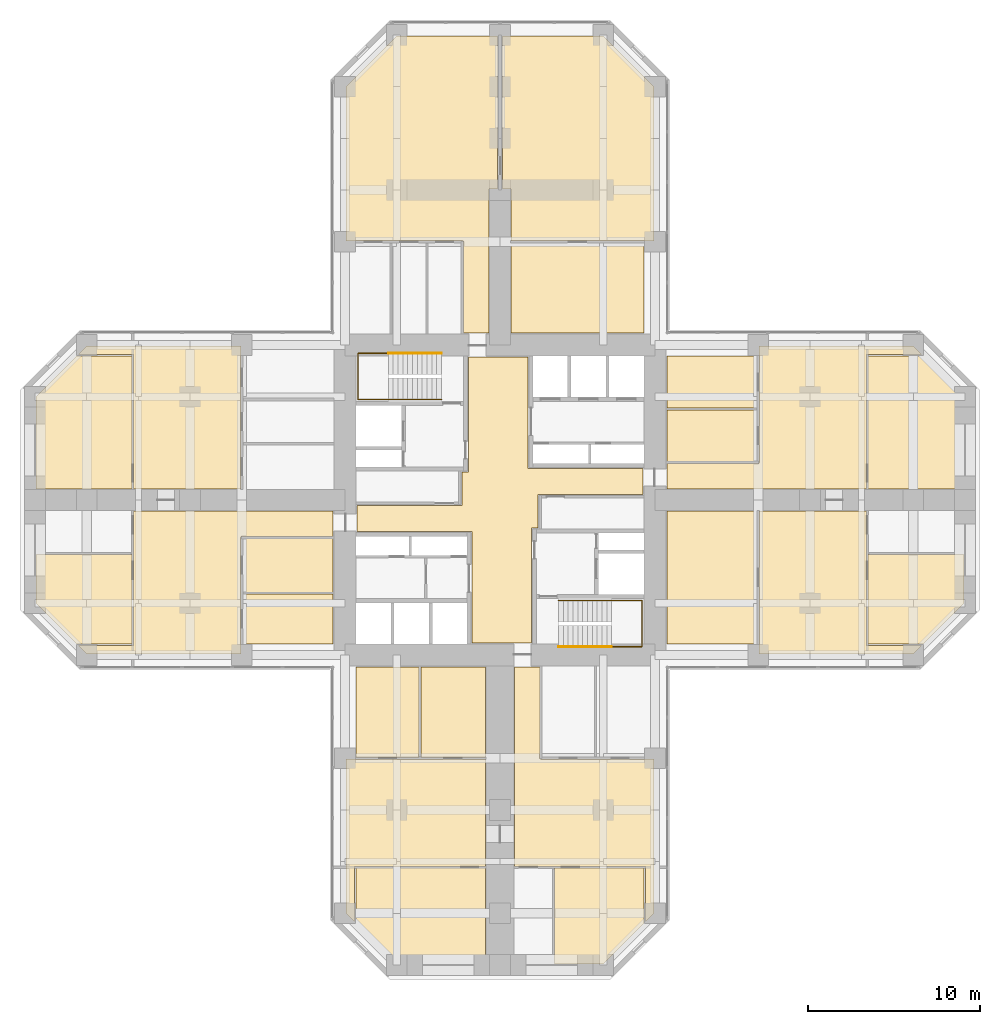
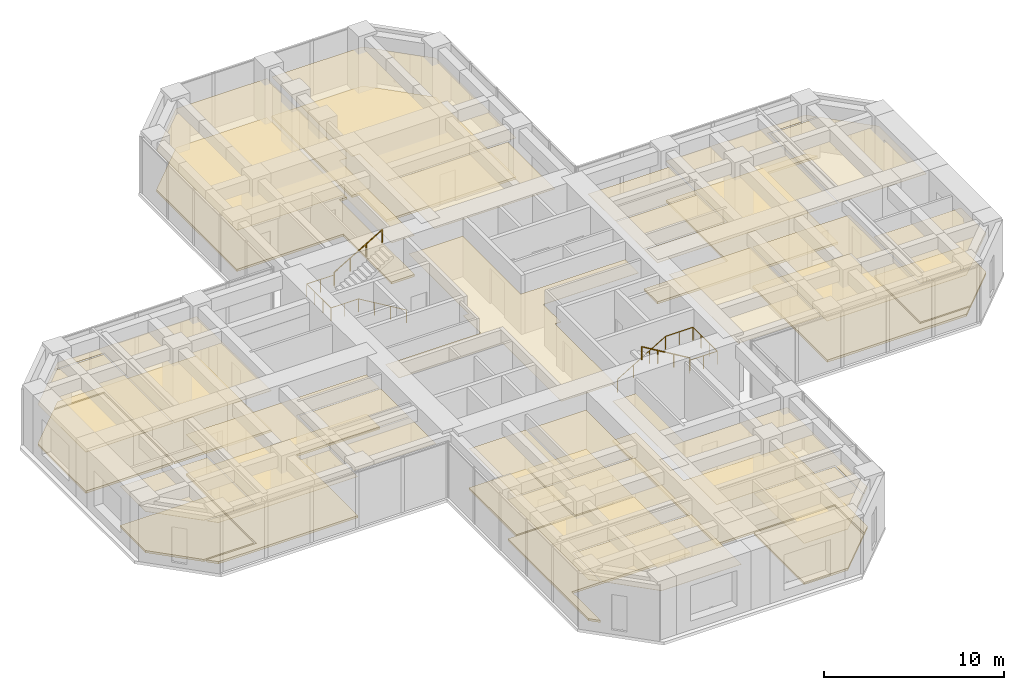
# One storey, part 13 of 13: 37 coverings, 4 railings.
"""IFC4 building model written with IfcOpenShell, lengths in metres."""

from ifc_helpers import new_model, si_unit, direction, frame, origin, origin_2d, place, context, subcontext, project, spatial, polyline, circle, outline, extrude, material, layer, layer_set, constituent, constituent_set, type_object, element, save


model = new_model("IFC4")

# Units and contexts
model_context = context("Model", 3, precision=1e-05, world=origin(), true_north=direction((0.0, 1.0)))
body_context = subcontext(model_context, "Body", "Model", "MODEL_VIEW")
ifc_project = project(units=[si_unit("LENGTHUNIT", "METRE"), si_unit("AREAUNIT", "SQUARE_METRE"), si_unit("VOLUMEUNIT", "CUBIC_METRE"), si_unit("PLANEANGLEUNIT", "RADIAN"), si_unit("MASSUNIT", "GRAM", prefix="KILO")], contexts=[model_context])

# Site, building, storey
site_placement = place(None, origin())
site = spatial("IfcSite", under=ifc_project, at=site_placement, CompositionType="ELEMENT")
building_placement = place(site_placement, origin())
building = spatial("IfcBuilding", under=site, at=building_placement, Name="Torre Cruceta", CompositionType="ELEMENT")
storey_placement = place(building_placement, frame((0.0, 0.0, 55.5)))
storey = spatial("IfcBuildingStorey", under=building, at=storey_placement, Name="L13", CompositionType="ELEMENT", Elevation=55.5)

# Railings
ifc_material_1 = material(Name="Stainless steel 1.4401", Category="steel")
railing_type = type_object("IfcRailingType", Name="HANDRAIL 900", PredefinedType="HANDRAIL", material=ifc_material_1)
railing_1_placement = place(storey_placement, frame((-3.39990234375, 5.8349609375, 0.166748046875)))
element("IfcRailing", 1, at=railing_1_placement, inside=storey, type_object=railing_type, Name="Handrail HR1 ST1 L13", PredefinedType="HANDRAIL", context=body_context, shape_type="SweptSolid", body=[
    extrude(circle(Radius=0.02392578125, at=origin_2d()), frame((0.0, 0.0, 0.8759765625), z_axis=(-0.859308565015, 0.0, 0.511457515432), x_axis=(0.0, -1.0, 0.0)), (0.0, 0.0, 1.0), 3.58447265625),
    extrude(circle(Radius=0.02392578125, at=origin_2d()), frame((-3.080078125, 0.0, 2.708984375), z_axis=(-1.0, 0.0, 0.0), x_axis=(0.0, -1.0, 0.0)), (0.0, 0.0, 1.0), 1.760009765625),
    extrude(circle(Radius=0.02392578125, at=origin_2d()), frame((-4.840087890625, 0.0, 2.708984375), z_axis=(0.0, 1.0, 0.0), x_axis=(-1.0, 0.0, 0.0)), (0.0, 0.0, 1.0), 2.679931640625),
    extrude(circle(Radius=0.02392578125, at=origin_2d()), frame((-4.840087890625, 2.679931640625, 2.708984375), z_axis=(1.0, 0.0, 0.0), x_axis=(0.0, 1.0, 0.0)), (0.0, 0.0, 1.0), 1.760009765625),
    extrude(circle(Radius=0.02099609375, at=origin_2d()), origin(), (0.0, 0.0, 1.0), 0.851806640625),
    extrude(circle(Radius=0.02099609375, at=origin_2d()), frame((-1.026611328125, 0.0, 0.611083984375)), (0.0, 0.0, 1.0), 0.851806640625),
    extrude(circle(Radius=0.02099609375, at=origin_2d()), frame((-2.053466796875, 0.0, 1.22216796875)), (0.0, 0.0, 1.0), 0.851806640625),
    extrude(circle(Radius=0.02099609375, at=origin_2d()), frame((-3.080078125, 0.0, 1.833251953125)), (0.0, 0.0, 1.0), 0.851806640625),
    extrude(circle(Radius=0.02099609375, at=origin_2d()), frame((-3.9599609375, 0.0, 1.833251953125)), (0.0, 0.0, 1.0), 0.851806640625),
    extrude(circle(Radius=0.02099609375, at=origin_2d()), frame((-4.840087890625, 0.0, 1.833251953125)), (0.0, 0.0, 1.0), 0.851806640625),
    extrude(circle(Radius=0.02099609375, at=origin_2d()), frame((-4.840087890625, 0.893310546875, 1.833251953125)), (0.0, 0.0, 1.0), 0.851806640625),
    extrude(circle(Radius=0.02099609375, at=origin_2d()), frame((-4.840087890625, 1.78662109375, 1.833251953125)), (0.0, 0.0, 1.0), 0.851806640625),
    extrude(circle(Radius=0.02099609375, at=origin_2d()), frame((-4.840087890625, 2.679931640625, 1.833251953125)), (0.0, 0.0, 1.0), 0.851806640625),
    extrude(circle(Radius=0.02099609375, at=origin_2d()), frame((-3.9599609375, 2.679931640625, 1.833251953125)), (0.0, 0.0, 1.0), 0.851806640625),
    extrude(circle(Radius=0.02099609375, at=origin_2d()), frame((-3.080078125, 2.679931640625, 1.833251953125)), (0.0, 0.0, 1.0), 0.851806640625),
])
railing_2_placement = place(storey_placement, frame((-6.47998046875, 8.514892578125, 2.166748046875)))
element("IfcRailing", 2, at=railing_2_placement, inside=storey, type_object=railing_type, Name="Handrail HR1 ST1 L13", PredefinedType="HANDRAIL", context=body_context, shape_type="SweptSolid", body=[
    extrude(circle(Radius=0.02392578125, at=origin_2d()), frame((0.0, 0.0, 0.8759765625), z_axis=(0.859308565015, 0.0, 0.511457515432), x_axis=(0.0, 1.0, 0.0)), (0.0, 0.0, 1.0), 3.58447265625),
    extrude(circle(Radius=0.02099609375, at=origin_2d()), origin(), (0.0, 0.0, 1.0), 0.851806640625),
    extrude(circle(Radius=0.02099609375, at=origin_2d()), frame((1.026611328125, 0.0, 0.611083984375)), (0.0, 0.0, 1.0), 0.851806640625),
    extrude(circle(Radius=0.02099609375, at=origin_2d()), frame((2.053466796875, 0.0, 1.22216796875)), (0.0, 0.0, 1.0), 0.851806640625),
    extrude(circle(Radius=0.02099609375, at=origin_2d()), frame((3.080078125, 0.0, 1.833251953125)), (0.0, 0.0, 1.0), 0.851806640625),
])
railing_3_placement = place(storey_placement, frame((3.39990234375, -5.8349609375, 0.166748046875)))
element("IfcRailing", 3, at=railing_3_placement, inside=storey, type_object=railing_type, Name="Handrail HR1 ST2 L13", PredefinedType="HANDRAIL", context=body_context, shape_type="SweptSolid", body=[
    extrude(circle(Radius=0.02392578125, at=origin_2d()), frame((0.0, 0.0, 0.8759765625), z_axis=(0.859308565015, 0.0, 0.511457515432), x_axis=(0.0, 1.0, 0.0)), (0.0, 0.0, 1.0), 3.58447265625),
    extrude(circle(Radius=0.02392578125, at=origin_2d()), frame((3.080078125, 0.0, 2.708984375), z_axis=(1.0, 0.0, 0.0), x_axis=(0.0, 1.0, 0.0)), (0.0, 0.0, 1.0), 1.760009765625),
    extrude(circle(Radius=0.02392578125, at=origin_2d()), frame((4.840087890625, 0.0, 2.708984375), z_axis=(0.0, -1.0, 0.0), x_axis=(1.0, 0.0, 0.0)), (0.0, 0.0, 1.0), 2.679931640625),
    extrude(circle(Radius=0.02392578125, at=origin_2d()), frame((4.840087890625, -2.679931640625, 2.708984375), z_axis=(-1.0, 0.0, 0.0), x_axis=(0.0, -1.0, 0.0)), (0.0, 0.0, 1.0), 1.760009765625),
    extrude(circle(Radius=0.02099609375, at=origin_2d()), origin(), (0.0, 0.0, 1.0), 0.851806640625),
    extrude(circle(Radius=0.02099609375, at=origin_2d()), frame((1.026611328125, 0.0, 0.611083984375)), (0.0, 0.0, 1.0), 0.851806640625),
    extrude(circle(Radius=0.02099609375, at=origin_2d()), frame((2.053466796875, 0.0, 1.22216796875)), (0.0, 0.0, 1.0), 0.851806640625),
    extrude(circle(Radius=0.02099609375, at=origin_2d()), frame((3.080078125, 0.0, 1.833251953125)), (0.0, 0.0, 1.0), 0.851806640625),
    extrude(circle(Radius=0.02099609375, at=origin_2d()), frame((3.9599609375, 0.0, 1.833251953125)), (0.0, 0.0, 1.0), 0.851806640625),
    extrude(circle(Radius=0.02099609375, at=origin_2d()), frame((4.840087890625, 0.0, 1.833251953125)), (0.0, 0.0, 1.0), 0.851806640625),
    extrude(circle(Radius=0.02099609375, at=origin_2d()), frame((4.840087890625, -0.893310546875, 1.833251953125)), (0.0, 0.0, 1.0), 0.851806640625),
    extrude(circle(Radius=0.02099609375, at=origin_2d()), frame((4.840087890625, -1.78662109375, 1.833251953125)), (0.0, 0.0, 1.0), 0.851806640625),
    extrude(circle(Radius=0.02099609375, at=origin_2d()), frame((4.840087890625, -2.679931640625, 1.833251953125)), (0.0, 0.0, 1.0), 0.851806640625),
    extrude(circle(Radius=0.02099609375, at=origin_2d()), frame((3.9599609375, -2.679931640625, 1.833251953125)), (0.0, 0.0, 1.0), 0.851806640625),
    extrude(circle(Radius=0.02099609375, at=origin_2d()), frame((3.080078125, -2.679931640625, 1.833251953125)), (0.0, 0.0, 1.0), 0.851806640625),
])
railing_4_placement = place(storey_placement, frame((6.47998046875, -8.514892578125, 2.166748046875)))
element("IfcRailing", 4, at=railing_4_placement, inside=storey, type_object=railing_type, Name="Handrail HR1 ST2 L13", PredefinedType="HANDRAIL", context=body_context, shape_type="SweptSolid", body=[
    extrude(circle(Radius=0.02392578125, at=origin_2d()), frame((0.0, 0.0, 0.8759765625), z_axis=(-0.859308565015, 0.0, 0.511457515432), x_axis=(0.0, -1.0, 0.0)), (0.0, 0.0, 1.0), 3.58447265625),
    extrude(circle(Radius=0.02099609375, at=origin_2d()), origin(), (0.0, 0.0, 1.0), 0.851806640625),
    extrude(circle(Radius=0.02099609375, at=origin_2d()), frame((-1.026611328125, 0.0, 0.611083984375)), (0.0, 0.0, 1.0), 0.851806640625),
    extrude(circle(Radius=0.02099609375, at=origin_2d()), frame((-2.053466796875, 0.0, 1.22216796875)), (0.0, 0.0, 1.0), 0.851806640625),
    extrude(circle(Radius=0.02099609375, at=origin_2d()), frame((-3.080078125, 0.0, 1.833251953125)), (0.0, 0.0, 1.0), 0.851806640625),
])

# Coverings
ifc_material_2 = material(Name="Steel DX51D", Category="steel")
ifc_constituent_1 = constituent(ifc_material_2, Name="Panel casing")
ifc_material_3 = material(Name="Calcium sulphate", Category="gypsum")
ifc_constituent_2 = constituent(ifc_material_3, Name="Panel core")
ifc_constituent_set = constituent_set(constituents=[ifc_constituent_1, ifc_constituent_2], Name="Raised access floor panel")
covering_type_1 = type_object("IfcCoveringType", Name="RAISED ACCESS FLOOR 150", PredefinedType="FLOORING", material=ifc_constituent_set)
covering_1_placement = place(storey_placement, origin())
element("IfcCovering", 5, at=covering_1_placement, inside=storey, type_object=covering_type_1, Name="Raised floor L13-029", PredefinedType="FLOORING", context=body_context, shape_type="SweptSolid", body=[
    extrude(outline(polyline([(-0.14990234375, 26.949951171875), (-0.14990234375, 18.050048828125), (-0.64990234375, 18.050048828125), (-0.64990234375, 9.699951171875), (-2.125, 9.699951171875), (-2.125, 15.050048828125), (-8.949951171875, 15.050048828125), (-8.949951171875, 23.979248046875), (-5.979248046875, 26.949951171875), (-0.14990234375, 26.949951171875)])), origin(), (0.0, 0.0, 1.0), 0.14990234375),
])
covering_2_placement = place(storey_placement, origin())
element("IfcCovering", 6, at=covering_2_placement, inside=storey, type_object=covering_type_1, Name="Raised floor L13-030", PredefinedType="FLOORING", context=body_context, shape_type="SweptSolid", body=[
    extrude(outline(polyline([(5.979248046875, 26.949951171875), (8.949951171875, 23.979248046875), (8.949951171875, 15.050048828125), (0.64990234375, 15.050048828125), (0.64990234375, 18.050048828125), (0.14990234375, 18.050048828125), (0.14990234375, 26.949951171875), (5.979248046875, 26.949951171875)])), origin(), (0.0, 0.0, 1.0), 0.14990234375),
])
covering_3_placement = place(storey_placement, origin())
element("IfcCovering", 7, at=covering_3_placement, inside=storey, type_object=covering_type_1, Name="Raised floor L13-036", PredefinedType="FLOORING", context=body_context, shape_type="SweptSolid", body=[
    extrude(outline(polyline([(24.579345703125, -8.35009765625), (21.3701171875, -8.35009765625), (21.3701171875, -3.16796875), (26.949951171875, -3.16796875), (26.949951171875, -5.979248046875), (24.579345703125, -8.35009765625)])), origin(), (0.0, 0.0, 1.0), 0.14990234375),
])
covering_4_placement = place(storey_placement, origin())
element("IfcCovering", 8, at=covering_4_placement, inside=storey, type_object=covering_type_1, Name="Raised floor L13-037", PredefinedType="FLOORING", context=body_context, shape_type="SweptSolid", body=[
    extrude(outline(polyline([(9.699951171875, 2.125), (15.050048828125, 2.125), (15.050048828125, 8.949951171875), (23.979248046875, 8.949951171875), (24.479248046875, 8.449951171875), (21.27001953125, 8.449951171875), (21.27001953125, 0.64990234375), (9.699951171875, 0.64990234375), (9.699951171875, 2.125)])), origin(), (0.0, 0.0, 1.0), 0.14990234375),
])
covering_5_placement = place(storey_placement, origin())
element("IfcCovering", 9, at=covering_5_placement, inside=storey, type_object=covering_type_1, Name="Raised floor L13-038", PredefinedType="FLOORING", context=body_context, shape_type="SweptSolid", body=[
    extrude(outline(polyline([(15.050048828125, -8.949951171875), (15.050048828125, -0.64990234375), (21.27001953125, -0.64990234375), (21.27001953125, -8.449951171875), (24.479248046875, -8.449951171875), (23.979248046875, -8.949951171875), (15.050048828125, -8.949951171875)])), origin(), (0.0, 0.0, 1.0), 0.14990234375),
])
covering_6_placement = place(storey_placement, origin())
element("IfcCovering", 10, at=covering_6_placement, inside=storey, type_object=covering_type_1, Name="Raised floor L13-041", PredefinedType="FLOORING", context=body_context, shape_type="SweptSolid", body=[
    extrude(outline(polyline([(-4.60009765625, -9.699951171875), (-0.85009765625, -9.699951171875), (-0.85009765625, -14.949951171875), (-4.60009765625, -14.949951171875), (-4.60009765625, -9.699951171875)])), origin(), (0.0, 0.0, 1.0), 0.14990234375),
])
covering_7_placement = place(storey_placement, origin())
element("IfcCovering", 11, at=covering_7_placement, inside=storey, type_object=covering_type_1, Name="Raised floor L13-042", PredefinedType="FLOORING", context=body_context, shape_type="SweptSolid", body=[
    extrude(outline(polyline([(-8.35009765625, -9.699951171875), (-4.699951171875, -9.699951171875), (-4.699951171875, -14.949951171875), (-8.35009765625, -14.949951171875), (-8.35009765625, -9.699951171875)])), origin(), (0.0, 0.0, 1.0), 0.14990234375),
])
covering_8_placement = place(storey_placement, origin())
element("IfcCovering", 12, at=covering_8_placement, inside=storey, type_object=covering_type_1, Name="Raised floor L13-044", PredefinedType="FLOORING", context=body_context, shape_type="SweptSolid", body=[
    extrude(outline(polyline([(3.16796875, -26.949951171875), (3.16796875, -21.3701171875), (8.35009765625, -21.3701171875), (8.35009765625, -24.579345703125), (5.979248046875, -26.949951171875), (3.16796875, -26.949951171875)])), origin(), (0.0, 0.0, 1.0), 0.14990234375),
])
covering_9_placement = place(storey_placement, origin())
element("IfcCovering", 13, at=covering_9_placement, inside=storey, type_object=covering_type_1, Name="Raised floor L13-046", PredefinedType="FLOORING", context=body_context, shape_type="SweptSolid", body=[
    extrude(outline(polyline([(2.324951171875, -9.699951171875), (2.324951171875, -15.050048828125), (8.949951171875, -15.050048828125), (8.949951171875, -23.979248046875), (8.449951171875, -24.479248046875), (8.449951171875, -21.27001953125), (0.85009765625, -21.27001953125), (0.85009765625, -9.699951171875), (2.324951171875, -9.699951171875)])), origin(), (0.0, 0.0, 1.0), 0.14990234375),
])
covering_10_placement = place(storey_placement, origin())
element("IfcCovering", 14, at=covering_10_placement, inside=storey, type_object=covering_type_1, Name="Raised floor L13-047", PredefinedType="FLOORING", context=body_context, shape_type="SweptSolid", body=[
    extrude(outline(polyline([(-8.949951171875, -15.050048828125), (-0.85009765625, -15.050048828125), (-0.85009765625, -21.27001953125), (-8.449951171875, -21.27001953125), (-8.449951171875, -24.479248046875), (-8.949951171875, -23.979248046875), (-8.949951171875, -15.050048828125)])), origin(), (0.0, 0.0, 1.0), 0.14990234375),
])
covering_11_placement = place(storey_placement, origin())
element("IfcCovering", 15, at=covering_11_placement, inside=storey, type_object=covering_type_1, Name="Raised floor L13-054", PredefinedType="FLOORING", context=body_context, shape_type="SweptSolid", body=[
    extrude(outline(polyline([(-26.949951171875, -3.16796875), (-21.3701171875, -3.16796875), (-21.3701171875, -8.35009765625), (-24.579345703125, -8.35009765625), (-26.949951171875, -5.979248046875), (-26.949951171875, -3.16796875)])), origin(), (0.0, 0.0, 1.0), 0.14990234375),
])
covering_12_placement = place(storey_placement, origin())
element("IfcCovering", 16, at=covering_12_placement, inside=storey, type_object=covering_type_1, Name="Raised floor L13-055", PredefinedType="FLOORING", context=body_context, shape_type="SweptSolid", body=[
    extrude(outline(polyline([(-24.579345703125, 8.35009765625), (-21.3701171875, 8.35009765625), (-21.3701171875, 0.64990234375), (-26.949951171875, 0.64990234375), (-26.949951171875, 5.979248046875), (-24.579345703125, 8.35009765625)])), origin(), (0.0, 0.0, 1.0), 0.14990234375),
])
covering_13_placement = place(storey_placement, origin())
element("IfcCovering", 17, at=covering_13_placement, inside=storey, type_object=covering_type_1, Name="Raised floor L13-056", PredefinedType="FLOORING", context=body_context, shape_type="SweptSolid", body=[
    extrude(outline(polyline([(-9.699951171875, -2.125), (-15.050048828125, -2.125), (-15.050048828125, -8.949951171875), (-23.979248046875, -8.949951171875), (-24.479248046875, -8.449951171875), (-21.27001953125, -8.449951171875), (-21.27001953125, -0.64990234375), (-9.699951171875, -0.64990234375), (-9.699951171875, -2.125)])), origin(), (0.0, 0.0, 1.0), 0.14990234375),
])
covering_14_placement = place(storey_placement, origin())
element("IfcCovering", 18, at=covering_14_placement, inside=storey, type_object=covering_type_1, Name="Raised floor L13-057", PredefinedType="FLOORING", context=body_context, shape_type="SweptSolid", body=[
    extrude(outline(polyline([(-15.050048828125, 8.949951171875), (-15.050048828125, 0.64990234375), (-21.27001953125, 0.64990234375), (-21.27001953125, 8.449951171875), (-24.479248046875, 8.449951171875), (-23.979248046875, 8.949951171875), (-15.050048828125, 8.949951171875)])), origin(), (0.0, 0.0, 1.0), 0.14990234375),
])
ifc_material_4 = material(Name="Mineral fibre ceiling tile", Category="gypsum")
ifc_layer = layer(ifc_material_4, 0.02001953125)
ifc_layer_set = layer_set([ifc_layer], Name="Mineral fibre ceiling tile")
covering_type_2 = type_object("IfcCoveringType", Name="SUSPENDED CEILING 20", PredefinedType="CEILING", material=ifc_layer_set)
covering_15_placement = place(storey_placement, frame((0.0, 0.0, 2.780029296875)))
element("IfcCovering", 19, at=covering_15_placement, inside=storey, type_object=covering_type_2, Name="Ceiling L13-001", PredefinedType="CEILING", context=body_context, shape_type="SweptSolid", body=[
    extrude(outline(polyline([(1.824951171875, -8.300048828125), (-1.625, -8.300048828125), (-1.625, -1.824951171875), (-8.300048828125, -1.824951171875), (-8.300048828125, -0.324951171875), (-2.199951171875, -0.324951171875), (-2.199951171875, 1.625), (-1.824951171875, 1.625), (-1.824951171875, 8.300048828125), (1.625, 8.300048828125), (1.625, 1.824951171875), (8.300048828125, 1.824951171875), (8.300048828125, 0.324951171875), (2.199951171875, 0.324951171875), (2.199951171875, -1.625), (1.824951171875, -1.625), (1.824951171875, -8.300048828125)])), origin(), (0.0, 0.0, 1.0), 0.02001953125),
])
covering_16_placement = place(storey_placement, frame((0.0, 0.0, 2.780029296875)))
element("IfcCovering", 20, at=covering_16_placement, inside=storey, type_object=covering_type_2, Name="Ceiling L13-028", PredefinedType="CEILING", context=body_context, shape_type="SweptSolid", body=[
    extrude(outline(polyline([(8.35009765625, 9.699951171875), (0.64990234375, 9.699951171875), (0.64990234375, 14.949951171875), (8.35009765625, 14.949951171875), (8.35009765625, 9.699951171875)])), origin(), (0.0, 0.0, 1.0), 0.02001953125),
])
covering_17_placement = place(storey_placement, frame((0.0, 0.0, 2.780029296875)))
element("IfcCovering", 21, at=covering_17_placement, inside=storey, type_object=covering_type_2, Name="Ceiling L13-029", PredefinedType="CEILING", context=body_context, shape_type="SweptSolid", body=[
    extrude(outline(polyline([(-0.14990234375, 26.949951171875), (-0.14990234375, 18.050048828125), (-0.64990234375, 18.050048828125), (-0.64990234375, 9.699951171875), (-2.125, 9.699951171875), (-2.125, 15.050048828125), (-8.949951171875, 15.050048828125), (-8.949951171875, 23.979248046875), (-5.979248046875, 26.949951171875), (-0.14990234375, 26.949951171875)])), origin(), (0.0, 0.0, 1.0), 0.02001953125),
])
covering_18_placement = place(storey_placement, frame((0.0, 0.0, 2.780029296875)))
element("IfcCovering", 22, at=covering_18_placement, inside=storey, type_object=covering_type_2, Name="Ceiling L13-030", PredefinedType="CEILING", context=body_context, shape_type="SweptSolid", body=[
    extrude(outline(polyline([(5.979248046875, 26.949951171875), (8.949951171875, 23.979248046875), (8.949951171875, 15.050048828125), (0.64990234375, 15.050048828125), (0.64990234375, 18.050048828125), (0.14990234375, 18.050048828125), (0.14990234375, 26.949951171875), (5.979248046875, 26.949951171875)])), origin(), (0.0, 0.0, 1.0), 0.02001953125),
])
covering_19_placement = place(storey_placement, frame((0.0, 0.0, 2.780029296875)))
element("IfcCovering", 23, at=covering_19_placement, inside=storey, type_object=covering_type_2, Name="Ceiling L13-031", PredefinedType="CEILING", context=body_context, shape_type="SweptSolid", body=[
    extrude(outline(polyline([(9.699951171875, 2.22509765625), (9.699951171875, 5.237548828125), (14.949951171875, 5.237548828125), (14.949951171875, 2.22509765625), (9.699951171875, 2.22509765625)])), origin(), (0.0, 0.0, 1.0), 0.02001953125),
])
covering_20_placement = place(storey_placement, frame((0.0, 0.0, 2.780029296875)))
element("IfcCovering", 24, at=covering_20_placement, inside=storey, type_object=covering_type_2, Name="Ceiling L13-032", PredefinedType="CEILING", context=body_context, shape_type="SweptSolid", body=[
    extrude(outline(polyline([(9.699951171875, 5.33740234375), (9.699951171875, 8.35009765625), (14.949951171875, 8.35009765625), (14.949951171875, 5.33740234375), (9.699951171875, 5.33740234375)])), origin(), (0.0, 0.0, 1.0), 0.02001953125),
])
covering_21_placement = place(storey_placement, frame((0.0, 0.0, 2.780029296875)))
element("IfcCovering", 25, at=covering_21_placement, inside=storey, type_object=covering_type_2, Name="Ceiling L13-033", PredefinedType="CEILING", context=body_context, shape_type="SweptSolid", body=[
    extrude(outline(polyline([(9.699951171875, -8.35009765625), (9.699951171875, -0.64990234375), (14.949951171875, -0.64990234375), (14.949951171875, -8.35009765625), (9.699951171875, -8.35009765625)])), origin(), (0.0, 0.0, 1.0), 0.02001953125),
])
covering_22_placement = place(storey_placement, frame((0.0, 0.0, 2.780029296875)))
element("IfcCovering", 26, at=covering_22_placement, inside=storey, type_object=covering_type_2, Name="Ceiling L13-034", PredefinedType="CEILING", context=body_context, shape_type="SweptSolid", body=[
    extrude(outline(polyline([(26.949951171875, 0.64990234375), (21.3701171875, 0.64990234375), (21.3701171875, 8.35009765625), (24.579345703125, 8.35009765625), (26.949951171875, 5.979248046875), (26.949951171875, 0.64990234375)])), origin(), (0.0, 0.0, 1.0), 0.02001953125),
])
covering_23_placement = place(storey_placement, frame((0.0, 0.0, 2.780029296875)))
element("IfcCovering", 27, at=covering_23_placement, inside=storey, type_object=covering_type_2, Name="Ceiling L13-036", PredefinedType="CEILING", context=body_context, shape_type="SweptSolid", body=[
    extrude(outline(polyline([(24.579345703125, -8.35009765625), (21.3701171875, -8.35009765625), (21.3701171875, -3.16796875), (26.949951171875, -3.16796875), (26.949951171875, -5.979248046875), (24.579345703125, -8.35009765625)])), origin(), (0.0, 0.0, 1.0), 0.02001953125),
])
covering_24_placement = place(storey_placement, frame((0.0, 0.0, 2.780029296875)))
element("IfcCovering", 28, at=covering_24_placement, inside=storey, type_object=covering_type_2, Name="Ceiling L13-037", PredefinedType="CEILING", context=body_context, shape_type="SweptSolid", body=[
    extrude(outline(polyline([(9.699951171875, 2.125), (15.050048828125, 2.125), (15.050048828125, 8.949951171875), (23.979248046875, 8.949951171875), (24.479248046875, 8.449951171875), (21.27001953125, 8.449951171875), (21.27001953125, 0.64990234375), (9.699951171875, 0.64990234375), (9.699951171875, 2.125)])), origin(), (0.0, 0.0, 1.0), 0.02001953125),
])
covering_25_placement = place(storey_placement, frame((0.0, 0.0, 2.780029296875)))
element("IfcCovering", 29, at=covering_25_placement, inside=storey, type_object=covering_type_2, Name="Ceiling L13-038", PredefinedType="CEILING", context=body_context, shape_type="SweptSolid", body=[
    extrude(outline(polyline([(15.050048828125, -8.949951171875), (15.050048828125, -0.64990234375), (21.27001953125, -0.64990234375), (21.27001953125, -8.449951171875), (24.479248046875, -8.449951171875), (23.979248046875, -8.949951171875), (15.050048828125, -8.949951171875)])), origin(), (0.0, 0.0, 1.0), 0.02001953125),
])
covering_26_placement = place(storey_placement, frame((0.0, 0.0, 2.780029296875)))
element("IfcCovering", 30, at=covering_26_placement, inside=storey, type_object=covering_type_2, Name="Ceiling L13-041", PredefinedType="CEILING", context=body_context, shape_type="SweptSolid", body=[
    extrude(outline(polyline([(-4.60009765625, -9.699951171875), (-0.85009765625, -9.699951171875), (-0.85009765625, -14.949951171875), (-4.60009765625, -14.949951171875), (-4.60009765625, -9.699951171875)])), origin(), (0.0, 0.0, 1.0), 0.02001953125),
])
covering_27_placement = place(storey_placement, frame((0.0, 0.0, 2.780029296875)))
element("IfcCovering", 31, at=covering_27_placement, inside=storey, type_object=covering_type_2, Name="Ceiling L13-042", PredefinedType="CEILING", context=body_context, shape_type="SweptSolid", body=[
    extrude(outline(polyline([(-8.35009765625, -9.699951171875), (-4.699951171875, -9.699951171875), (-4.699951171875, -14.949951171875), (-8.35009765625, -14.949951171875), (-8.35009765625, -9.699951171875)])), origin(), (0.0, 0.0, 1.0), 0.02001953125),
])
covering_28_placement = place(storey_placement, frame((0.0, 0.0, 2.780029296875)))
element("IfcCovering", 32, at=covering_28_placement, inside=storey, type_object=covering_type_2, Name="Ceiling L13-044", PredefinedType="CEILING", context=body_context, shape_type="SweptSolid", body=[
    extrude(outline(polyline([(3.16796875, -26.949951171875), (3.16796875, -21.3701171875), (8.35009765625, -21.3701171875), (8.35009765625, -24.579345703125), (5.979248046875, -26.949951171875), (3.16796875, -26.949951171875)])), origin(), (0.0, 0.0, 1.0), 0.02001953125),
])
covering_29_placement = place(storey_placement, frame((0.0, 0.0, 2.780029296875)))
element("IfcCovering", 33, at=covering_29_placement, inside=storey, type_object=covering_type_2, Name="Ceiling L13-045", PredefinedType="CEILING", context=body_context, shape_type="SweptSolid", body=[
    extrude(outline(polyline([(-8.35009765625, -24.579345703125), (-8.35009765625, -21.3701171875), (-0.85009765625, -21.3701171875), (-0.85009765625, -26.949951171875), (-5.979248046875, -26.949951171875), (-8.35009765625, -24.579345703125)])), origin(), (0.0, 0.0, 1.0), 0.02001953125),
])
covering_30_placement = place(storey_placement, frame((0.0, 0.0, 2.780029296875)))
element("IfcCovering", 34, at=covering_30_placement, inside=storey, type_object=covering_type_2, Name="Ceiling L13-046", PredefinedType="CEILING", context=body_context, shape_type="SweptSolid", body=[
    extrude(outline(polyline([(2.324951171875, -9.699951171875), (2.324951171875, -15.050048828125), (8.949951171875, -15.050048828125), (8.949951171875, -23.979248046875), (8.449951171875, -24.479248046875), (8.449951171875, -21.27001953125), (0.85009765625, -21.27001953125), (0.85009765625, -9.699951171875), (2.324951171875, -9.699951171875)])), origin(), (0.0, 0.0, 1.0), 0.02001953125),
])
covering_31_placement = place(storey_placement, frame((0.0, 0.0, 2.780029296875)))
element("IfcCovering", 35, at=covering_31_placement, inside=storey, type_object=covering_type_2, Name="Ceiling L13-047", PredefinedType="CEILING", context=body_context, shape_type="SweptSolid", body=[
    extrude(outline(polyline([(-8.949951171875, -15.050048828125), (-0.85009765625, -15.050048828125), (-0.85009765625, -21.27001953125), (-8.449951171875, -21.27001953125), (-8.449951171875, -24.479248046875), (-8.949951171875, -23.979248046875), (-8.949951171875, -15.050048828125)])), origin(), (0.0, 0.0, 1.0), 0.02001953125),
])
covering_32_placement = place(storey_placement, frame((0.0, 0.0, 2.780029296875)))
element("IfcCovering", 36, at=covering_32_placement, inside=storey, type_object=covering_type_2, Name="Ceiling L13-048", PredefinedType="CEILING", context=body_context, shape_type="SweptSolid", body=[
    extrude(outline(polyline([(-9.699951171875, -2.22509765625), (-9.699951171875, -5.362060546875), (-14.949951171875, -5.362060546875), (-14.949951171875, -2.22509765625), (-9.699951171875, -2.22509765625)])), origin(), (0.0, 0.0, 1.0), 0.02001953125),
])
covering_33_placement = place(storey_placement, frame((0.0, 0.0, 2.780029296875)))
element("IfcCovering", 37, at=covering_33_placement, inside=storey, type_object=covering_type_2, Name="Ceiling L13-049", PredefinedType="CEILING", context=body_context, shape_type="SweptSolid", body=[
    extrude(outline(polyline([(-9.699951171875, -5.4619140625), (-9.699951171875, -8.35009765625), (-14.949951171875, -8.35009765625), (-14.949951171875, -5.4619140625), (-9.699951171875, -5.4619140625)])), origin(), (0.0, 0.0, 1.0), 0.02001953125),
])
covering_34_placement = place(storey_placement, frame((0.0, 0.0, 2.780029296875)))
element("IfcCovering", 38, at=covering_34_placement, inside=storey, type_object=covering_type_2, Name="Ceiling L13-054", PredefinedType="CEILING", context=body_context, shape_type="SweptSolid", body=[
    extrude(outline(polyline([(-26.949951171875, -3.16796875), (-21.3701171875, -3.16796875), (-21.3701171875, -8.35009765625), (-24.579345703125, -8.35009765625), (-26.949951171875, -5.979248046875), (-26.949951171875, -3.16796875)])), origin(), (0.0, 0.0, 1.0), 0.02001953125),
])
covering_35_placement = place(storey_placement, frame((0.0, 0.0, 2.780029296875)))
element("IfcCovering", 39, at=covering_35_placement, inside=storey, type_object=covering_type_2, Name="Ceiling L13-055", PredefinedType="CEILING", context=body_context, shape_type="SweptSolid", body=[
    extrude(outline(polyline([(-24.579345703125, 8.35009765625), (-21.3701171875, 8.35009765625), (-21.3701171875, 0.64990234375), (-26.949951171875, 0.64990234375), (-26.949951171875, 5.979248046875), (-24.579345703125, 8.35009765625)])), origin(), (0.0, 0.0, 1.0), 0.02001953125),
])
covering_36_placement = place(storey_placement, frame((0.0, 0.0, 2.780029296875)))
element("IfcCovering", 40, at=covering_36_placement, inside=storey, type_object=covering_type_2, Name="Ceiling L13-056", PredefinedType="CEILING", context=body_context, shape_type="SweptSolid", body=[
    extrude(outline(polyline([(-9.699951171875, -2.125), (-15.050048828125, -2.125), (-15.050048828125, -8.949951171875), (-23.979248046875, -8.949951171875), (-24.479248046875, -8.449951171875), (-21.27001953125, -8.449951171875), (-21.27001953125, -0.64990234375), (-9.699951171875, -0.64990234375), (-9.699951171875, -2.125)])), origin(), (0.0, 0.0, 1.0), 0.02001953125),
])
covering_37_placement = place(storey_placement, frame((0.0, 0.0, 2.780029296875)))
element("IfcCovering", 41, at=covering_37_placement, inside=storey, type_object=covering_type_2, Name="Ceiling L13-057", PredefinedType="CEILING", context=body_context, shape_type="SweptSolid", body=[
    extrude(outline(polyline([(-15.050048828125, 8.949951171875), (-15.050048828125, 0.64990234375), (-21.27001953125, 0.64990234375), (-21.27001953125, 8.449951171875), (-24.479248046875, 8.449951171875), (-23.979248046875, 8.949951171875), (-15.050048828125, 8.949951171875)])), origin(), (0.0, 0.0, 1.0), 0.02001953125),
])

save(model, "model.ifc")
